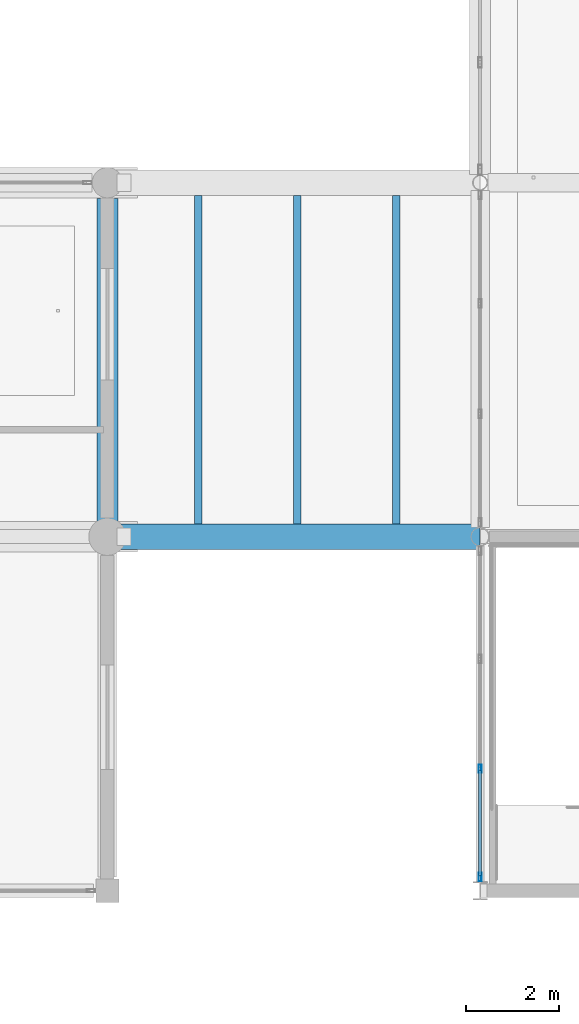
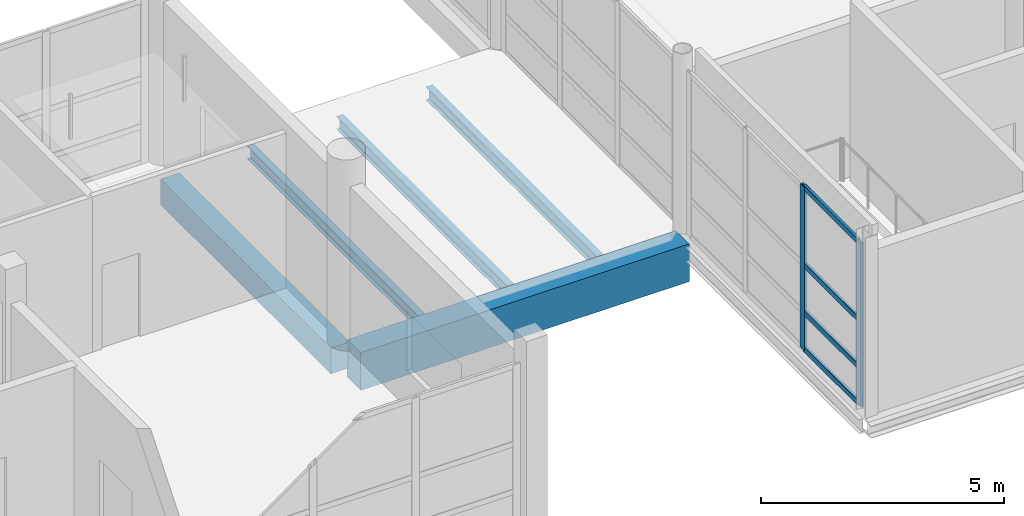
# One storey, part 26 of 107: 6 members, 5 beams, 1 element without a shape of its own.
"""IFC4 building model written with IfcOpenShell, lengths in metres."""

from ifc_helpers import new_model, si_unit, direction, frame, origin, origin_2d, place, context, subcontext, project, spatial, rectangle, hollow_rectangle, i_section, extrude, material, material_profile, profile_set, type_object, element, aggregate, save


model = new_model("IFC4")

# Units and contexts
model_context = context("Model", 3, precision=1e-05, world=origin(), true_north=direction((0.0, 1.0)))
body_context = subcontext(model_context, "Body", "Model", "MODEL_VIEW")
ifc_project = project(units=[si_unit("LENGTHUNIT", "METRE"), si_unit("AREAUNIT", "SQUARE_METRE"), si_unit("VOLUMEUNIT", "CUBIC_METRE"), si_unit("PLANEANGLEUNIT", "RADIAN"), si_unit("MASSUNIT", "GRAM", prefix="KILO")], contexts=[model_context])

# Site, building, storey
site_placement = place(None, origin())
site = spatial("IfcSite", under=ifc_project, at=site_placement, CompositionType="ELEMENT")
building_placement = place(site_placement, origin())
building = spatial("IfcBuilding", under=site, at=building_placement, Name="Khelvaren Railside Concert Hall", CompositionType="ELEMENT")
storey_placement = place(building_placement, frame((0.0, 0.0, 15.0)))
storey = spatial("IfcBuildingStorey", under=building, at=storey_placement, Name="L03", CompositionType="ELEMENT", Elevation=15.0)

# Curtain wall, members
ifc_material_1 = material(Name="Double-glazed low-E dark acoustic glass", Category="glass")
curtain_wall_type = type_object("IfcCurtainWallType", Name="CW94", PredefinedType="USERDEFINED", material=ifc_material_1)
curtain_wall_placement = place(storey_placement, origin())
curtain_wall = element("IfcCurtainWall", 1, at=curtain_wall_placement, inside=storey, type_object=curtain_wall_type, Name="Unitised Curtain Wall CW-V2-L03-W-0", ObjectType="UNITISED CURTAIN WALL", PredefinedType="USERDEFINED")
ifc_material_2 = material(Name="Anodised architectural aluminium 6063-T6", Category="aluminium")
ifc_material_profile_1 = material_profile(ifc_material_2, hollow_rectangle(XDim=0.06494140625, YDim=0.179931640625, WallThickness=0.00390625, InnerFilletRadius=0.001953125, OuterFilletRadius=0.00390625, at=origin_2d()), Name="CWM 65x180x4")
ifc_profile_set_1 = profile_set([ifc_material_profile_1], Name="Anodised architectural aluminium 6063-T6")
member_type_1 = type_object("IfcMemberType", Name="CWM63", PredefinedType="MULLION", material=ifc_profile_set_1)
member_1_placement = place(storey_placement, frame((144.0, 0.294921875, 0.0), z_axis=(0.0, 0.0, 1.0), x_axis=(-1.0, 0.0, 0.0)))
member_1 = element("IfcMember", 2, at=member_1_placement, type_object=member_type_1, Name="CW94 mullion 1", PredefinedType="MULLION", context=body_context, shape_type="SweptSolid", body=[
    extrude(hollow_rectangle(XDim=0.06494140625, YDim=0.179931640625, WallThickness=0.00390625, InnerFilletRadius=0.001953125, OuterFilletRadius=0.00390625, at=origin_2d()), origin(), (0.0, 0.0, 1.0), 4.1201171875),
])
member_2_placement = place(storey_placement, frame((144.0, 2.6181640625, 0.0), z_axis=(0.0, 0.0, 1.0), x_axis=(-1.0, 0.0, 0.0)))
member_2 = element("IfcMember", 3, at=member_2_placement, type_object=member_type_1, Name="CW94 mullion 2", PredefinedType="MULLION", context=body_context, shape_type="SweptSolid", body=[
    extrude(hollow_rectangle(XDim=0.06494140625, YDim=0.179931640625, WallThickness=0.00390625, InnerFilletRadius=0.001953125, OuterFilletRadius=0.00390625, at=origin_2d()), origin(), (0.0, 0.0, 1.0), 4.1201171875),
])
ifc_material_profile_2 = material_profile(ifc_material_2, hollow_rectangle(XDim=0.06494140625, YDim=0.139892578125, WallThickness=0.00390625, InnerFilletRadius=0.001953125, OuterFilletRadius=0.00390625, at=origin_2d()), Name="CWT 65x140x4")
ifc_profile_set_2 = profile_set([ifc_material_profile_2], Name="Anodised architectural aluminium 6063-T6")
member_type_2 = type_object("IfcMemberType", Name="CWT72", PredefinedType="USERDEFINED", material=ifc_profile_set_2)
member_3_placement = place(storey_placement, frame((144.0, 0.327392578125, 0.032470703125), z_axis=(0.0, 1.0, 0.0), x_axis=(-1.0, 0.0, 0.0)))
member_3 = element("IfcMember", 4, at=member_3_placement, type_object=member_type_2, Name="CW94 transom 1.1", ObjectType="TRANSOM", PredefinedType="USERDEFINED", context=body_context, shape_type="SweptSolid", body=[
    extrude(hollow_rectangle(XDim=0.06494140625, YDim=0.139892578125, WallThickness=0.00390625, InnerFilletRadius=0.001953125, OuterFilletRadius=0.00390625, at=origin_2d()), origin(), (0.0, 0.0, 1.0), 2.25830078125),
])
member_4_placement = place(storey_placement, frame((144.0, 0.327392578125, 0.949951171875), z_axis=(0.0, 1.0, 0.0), x_axis=(-1.0, 0.0, 0.0)))
member_4 = element("IfcMember", 5, at=member_4_placement, type_object=member_type_2, Name="CW94 transom 1.2", ObjectType="TRANSOM", PredefinedType="USERDEFINED", context=body_context, shape_type="SweptSolid", body=[
    extrude(hollow_rectangle(XDim=0.06494140625, YDim=0.139892578125, WallThickness=0.00390625, InnerFilletRadius=0.001953125, OuterFilletRadius=0.00390625, at=origin_2d()), origin(), (0.0, 0.0, 1.0), 2.25830078125),
])
member_5_placement = place(storey_placement, frame((144.0, 0.327392578125, 2.142333984375), z_axis=(0.0, 1.0, 0.0), x_axis=(-1.0, 0.0, 0.0)))
member_5 = element("IfcMember", 6, at=member_5_placement, type_object=member_type_2, Name="CW94 transom 1.3", ObjectType="TRANSOM", PredefinedType="USERDEFINED", context=body_context, shape_type="SweptSolid", body=[
    extrude(hollow_rectangle(XDim=0.06494140625, YDim=0.139892578125, WallThickness=0.00390625, InnerFilletRadius=0.001953125, OuterFilletRadius=0.00390625, at=origin_2d()), origin(), (0.0, 0.0, 1.0), 2.25830078125),
])
member_6_placement = place(storey_placement, frame((144.0, 0.327392578125, 4.08740234375), z_axis=(0.0, 1.0, 0.0), x_axis=(-1.0, 0.0, 0.0)))
member_6 = element("IfcMember", 7, at=member_6_placement, type_object=member_type_2, Name="CW94 transom 1.4", ObjectType="TRANSOM", PredefinedType="USERDEFINED", context=body_context, shape_type="SweptSolid", body=[
    extrude(hollow_rectangle(XDim=0.06494140625, YDim=0.139892578125, WallThickness=0.00390625, InnerFilletRadius=0.001953125, OuterFilletRadius=0.00390625, at=origin_2d()), origin(), (0.0, 0.0, 1.0), 2.25830078125),
])
aggregate(curtain_wall, [member_1, member_2, member_3, member_4, member_5, member_6])

# Beams
ifc_material_3 = material(Name="Concrete C40/50", Category="concrete")
ifc_material_profile_3 = material_profile(ifc_material_3, rectangle(XDim=0.550048828125, YDim=0.949951171875, at=origin_2d()), Name="RCB 550x950")
ifc_profile_set_3 = profile_set([ifc_material_profile_3], Name="Concrete C40/50")
beam_type_1 = type_object("IfcBeamType", Name="GR75", PredefinedType="T_BEAM", material=ifc_profile_set_3)
beam_1_placement = place(storey_placement, frame((136.179931640625, 7.60009765625, -0.695068359375), z_axis=(1.0, 0.0, 0.0), x_axis=(0.0, 1.0, 0.0)))
element("IfcBeam", 8, at=beam_1_placement, inside=storey, type_object=beam_type_1, Name="East Rehearsal Link Bridge L03 Bridge Girder 1", PredefinedType="T_BEAM", context=body_context, shape_type="SweptSolid", body=[
    extrude(rectangle(XDim=0.550048828125, YDim=0.949951171875, at=origin_2d()), origin(), (0.0, 0.0, 1.0), 7.820068359375),
])
ifc_material_4 = material(Name="Steel S355", Category="steel")
ifc_material_profile_4 = material_profile(ifc_material_4, i_section(OverallWidth=0.159912109375, OverallDepth=0.330078125, WebThickness=0.007568359375, FlangeThickness=0.011474609375, FilletRadius=0.01806640625, at=origin_2d()), Name="IPE 330")
ifc_profile_set_4 = profile_set([ifc_material_profile_4], Name="Steel S355")
beam_type_2 = type_object("IfcBeamType", Name="JS65", PredefinedType="JOIST", material=ifc_profile_set_4)
for number, where, z_axis, x_axis, name in (
    (9, (137.949951171875, 7.875, -0.385009765625), (0.0, 1.0, 0.0), (-1.0, 0.0, 0.0), "East Rehearsal Link Bridge L03 Bridge Cross Joist 1"),
    (10, (140.074951171875, 7.875, -0.385009765625), (0.0, 1.0, 0.0), (-1.0, 0.0, 0.0), "East Rehearsal Link Bridge L03 Bridge Cross Joist 2"),
    (11, (142.199951171875, 7.875, -0.385009765625), (0.0, 1.0, 0.0), (-1.0, 0.0, 0.0), "East Rehearsal Link Bridge L03 Bridge Cross Joist 3"),
):
    element("IfcBeam", number, at=place(storey_placement, frame(where, z_axis=z_axis, x_axis=x_axis)), inside=storey, type_object=beam_type_2, Name=name, PredefinedType="JOIST", context=body_context, shape_type="SweptSolid", body=[
        extrude(i_section(OverallWidth=0.159912109375, OverallDepth=0.330078125, WebThickness=0.007568359375, FlangeThickness=0.011474609375, FilletRadius=0.01806640625, at=origin_2d()), origin(), (0.0, 0.0, 1.0), 7.050048828125),
    ])
ifc_material_profile_5 = material_profile(ifc_material_3, rectangle(XDim=0.449951171875, YDim=0.64990234375, at=origin_2d()), Name="RCB 450x650")
ifc_profile_set_5 = profile_set([ifc_material_profile_5], Name="Concrete C40/50")
beam_type_3 = type_object("IfcBeamType", Name="SP34", PredefinedType="SPANDREL", material=ifc_profile_set_5)
beam_2_placement = place(storey_placement, frame((136.0, 7.85009765625, -0.60498046875), z_axis=(0.0, 1.0, 0.0), x_axis=(-1.0, 0.0, 0.0)))
element("IfcBeam", 12, at=beam_2_placement, inside=storey, type_object=beam_type_3, Name="V3 L03 Spandrel Y10.2", PredefinedType="SPANDREL", context=body_context, shape_type="SweptSolid", body=[
    extrude(rectangle(XDim=0.449951171875, YDim=0.64990234375, at=origin_2d()), origin(), (0.0, 0.0, 1.0), 7.013916015625),
])

save(model, "model.ifc")
